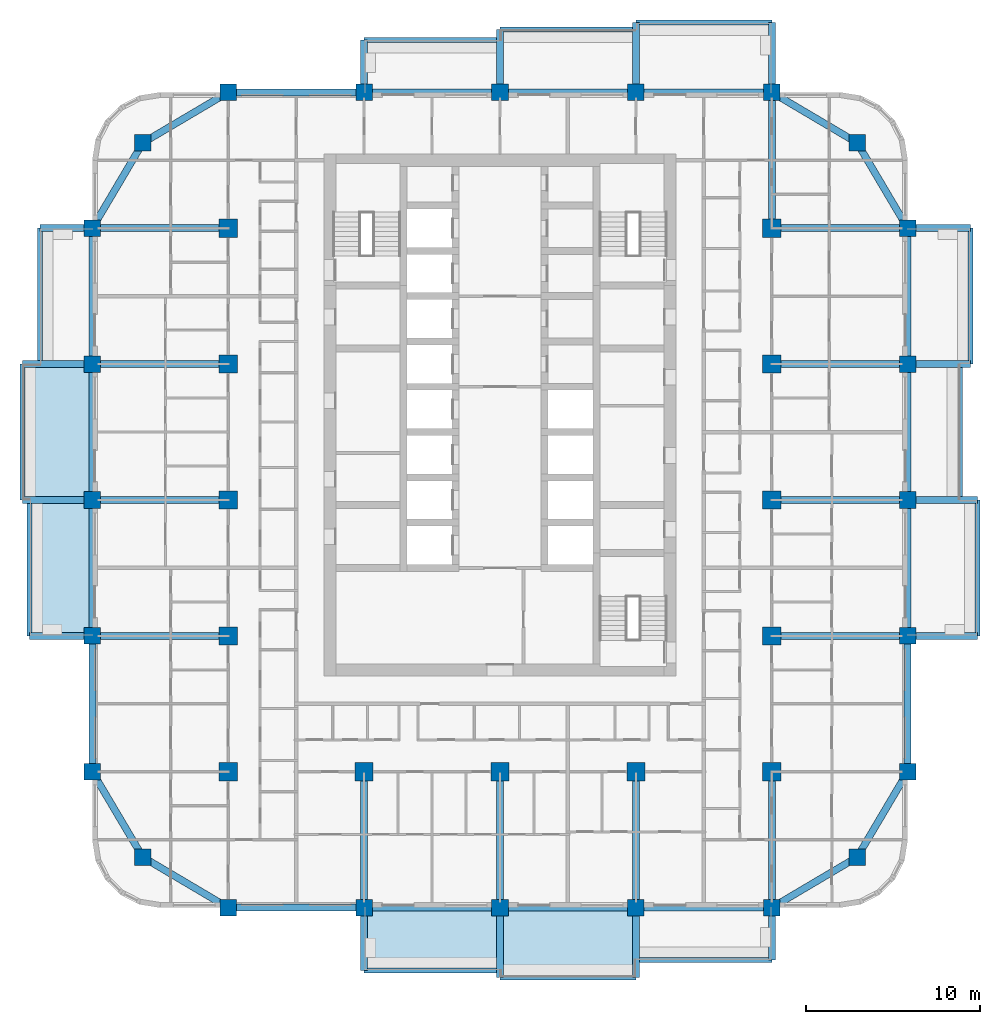
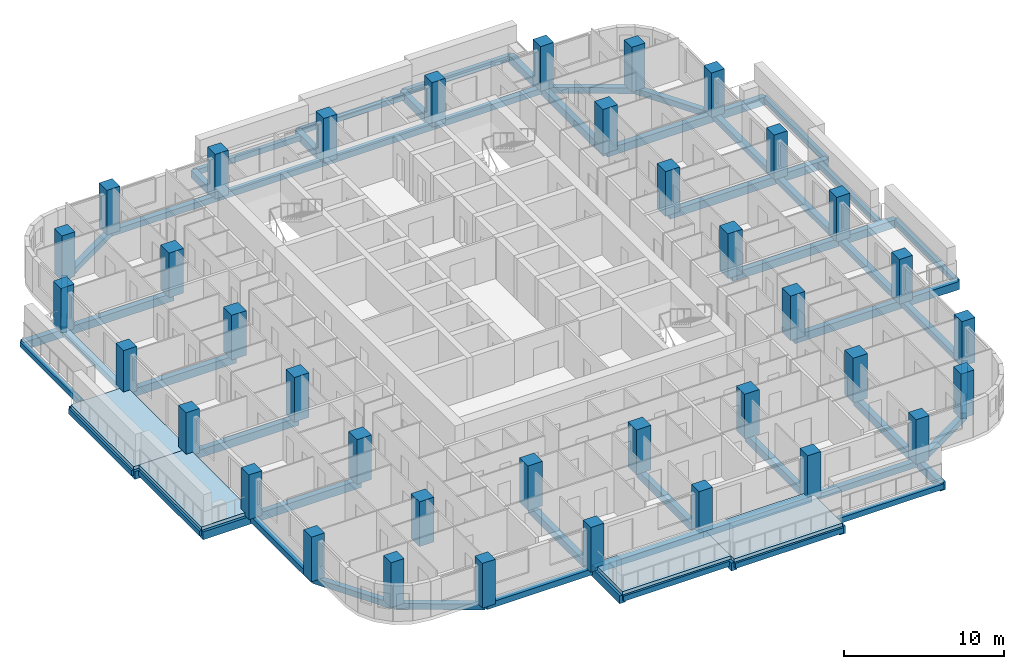
# One storey, part 1 of 17: 65 beams, 37 columns, 4 slabs.
"""IFC4 building model written with IfcOpenShell, lengths in metres."""

from ifc_helpers import new_model, si_unit, direction, frame, origin, origin_2d, place, context, subcontext, project, spatial, polyline, rectangle, outline, extrude, material, layer, layer_set, material_profile, profile_set, type_object, element, save


model = new_model("IFC4")

# Units and contexts
model_context = context("Model", 3, precision=1e-05, world=origin(), true_north=direction((0.0, 1.0)))
body_context = subcontext(model_context, "Body", "Model", "MODEL_VIEW")
ifc_project = project(units=[si_unit("LENGTHUNIT", "METRE"), si_unit("AREAUNIT", "SQUARE_METRE"), si_unit("VOLUMEUNIT", "CUBIC_METRE"), si_unit("PLANEANGLEUNIT", "RADIAN"), si_unit("MASSUNIT", "GRAM", prefix="KILO")], contexts=[model_context])

# Site, building, storey
site_placement = place(None, origin())
site = spatial("IfcSite", under=ifc_project, at=site_placement, CompositionType="ELEMENT")
building_placement = place(site_placement, origin())
building = spatial("IfcBuilding", under=site, at=building_placement, Name="Ludao Terraces", CompositionType="ELEMENT")
storey_placement = place(building_placement, frame((0.0, 0.0, 88.60009765625)))
storey = spatial("IfcBuildingStorey", under=building, at=storey_placement, Name="L24", CompositionType="ELEMENT", Elevation=88.60009765625)

# Columns
ifc_material_1 = material(Name="Concrete C55", Category="concrete")
ifc_material_profile_1 = material_profile(ifc_material_1, rectangle(XDim=1.050048828125, YDim=1.050048828125, at=origin_2d()), Name="1050 X 1050")
ifc_profile_set_1 = profile_set([ifc_material_profile_1], Name="Concrete C55")
column_type_1 = type_object("IfcColumnType", Name="RC column 1050x1050 C55", PredefinedType="COLUMN", material=ifc_profile_set_1)
for number, where, z_axis, x_axis, name in (
    (1, (69.39990234375, 49.39990234375, -0.25), (0.0, 0.0, 1.0), (1.0, 0.0, 0.0), "Column L24 S0078x0078"),
    (2, (69.39990234375, 57.199951171875, -0.25), (0.0, 0.0, 1.0), (1.0, 0.0, 0.0), "Column L24 S0078x0156"),
    (3, (69.39990234375, 65.0, -0.25), (0.0, 0.0, 1.0), (1.0, 0.0, 0.0), "Column L24 S0078x0234"),
    (4, (69.39990234375, 72.800048828125, -0.25), (0.0, 0.0, 1.0), (1.0, 0.0, 0.0), "Column L24 S0078x0312"),
    (5, (69.39990234375, 80.60009765625, -0.25), (0.0, 0.0, 1.0), (1.0, 0.0, 0.0), "Column L24 S0078x0390"),
    (6, (77.199951171875, 49.39990234375, -0.25), (0.0, 0.0, 1.0), (1.0, 0.0, 0.0), "Column L24 S0156x0078"),
    (7, (85.0, 49.39990234375, -0.25), (0.0, 0.0, 1.0), (1.0, 0.0, 0.0), "Column L24 S0234x0078"),
    (8, (92.800048828125, 49.39990234375, -0.25), (0.0, 0.0, 1.0), (1.0, 0.0, 0.0), "Column L24 S0312x0078"),
    (9, (100.60009765625, 49.39990234375, -0.25), (0.0, 0.0, 1.0), (1.0, 0.0, 0.0), "Column L24 S0390x0078"),
    (10, (100.60009765625, 57.199951171875, -0.25), (0.0, 0.0, 1.0), (1.0, 0.0, 0.0), "Column L24 S0390x0156"),
    (11, (100.60009765625, 65.0, -0.25), (0.0, 0.0, 1.0), (1.0, 0.0, 0.0), "Column L24 S0390x0234"),
    (12, (100.60009765625, 72.800048828125, -0.25), (0.0, 0.0, 1.0), (1.0, 0.0, 0.0), "Column L24 S0390x0312"),
    (13, (100.60009765625, 80.60009765625, -0.25), (0.0, 0.0, 1.0), (1.0, 0.0, 0.0), "Column L24 S0390x0390"),
):
    element("IfcColumn", number, at=place(storey_placement, frame(where, z_axis=z_axis, x_axis=x_axis)), inside=storey, type_object=column_type_1, Name=name, PredefinedType="COLUMN", context=body_context, shape_type="SweptSolid", body=[
        extrude(rectangle(XDim=1.050048828125, YDim=1.050048828125, at=origin_2d()), origin(), (0.0, 0.0, 1.0), 3.39990234375),
    ])
ifc_material_profile_2 = material_profile(ifc_material_1, rectangle(XDim=0.949951171875, YDim=0.949951171875, at=origin_2d()), Name="950 X 950")
ifc_profile_set_2 = profile_set([ifc_material_profile_2], Name="Concrete C55")
column_type_2 = type_object("IfcColumnType", Name="RC column 950x950 C55", PredefinedType="COLUMN", material=ifc_profile_set_2)
for number, where, z_axis, x_axis, name in (
    (14, (64.5, 44.5, -0.25), (0.0, 0.0, 1.0), (1.0, 0.0, 0.0), "Column L24 C0029x0029"),
    (15, (105.5, 44.5, -0.25), (0.0, 0.0, 1.0), (1.0, 0.0, 0.0), "Column L24 C0439x0029"),
    (16, (64.5, 85.5, -0.25), (0.0, 0.0, 1.0), (1.0, 0.0, 0.0), "Column L24 C0029x0439"),
    (17, (105.5, 85.5, -0.25), (0.0, 0.0, 1.0), (1.0, 0.0, 0.0), "Column L24 C0439x0439"),
    (18, (61.60009765625, 49.39990234375, -0.25), (0.0, 0.0, 1.0), (1.0, 0.0, 0.0), "Column L24 F0000x0078"),
    (19, (108.39990234375, 49.39990234375, -0.25), (0.0, 0.0, 1.0), (1.0, 0.0, 0.0), "Column L24 F0468x0078"),
    (20, (69.39990234375, 41.60009765625, -0.25), (0.0, 0.0, 1.0), (1.0, 0.0, 0.0), "Column L24 F0078x0000"),
    (21, (69.39990234375, 88.39990234375, -0.25), (0.0, 0.0, 1.0), (1.0, 0.0, 0.0), "Column L24 F0078x0468"),
    (22, (61.60009765625, 57.199951171875, -0.25), (0.0, 0.0, 1.0), (1.0, 0.0, 0.0), "Column L24 F0000x0156"),
    (23, (108.39990234375, 57.199951171875, -0.25), (0.0, 0.0, 1.0), (1.0, 0.0, 0.0), "Column L24 F0468x0156"),
    (24, (77.199951171875, 41.60009765625, -0.25), (0.0, 0.0, 1.0), (1.0, 0.0, 0.0), "Column L24 F0156x0000"),
    (25, (77.199951171875, 88.39990234375, -0.25), (0.0, 0.0, 1.0), (1.0, 0.0, 0.0), "Column L24 F0156x0468"),
    (26, (61.60009765625, 65.0, -0.25), (0.0, 0.0, 1.0), (1.0, 0.0, 0.0), "Column L24 F0000x0234"),
    (27, (108.39990234375, 65.0, -0.25), (0.0, 0.0, 1.0), (1.0, 0.0, 0.0), "Column L24 F0468x0234"),
    (28, (85.0, 41.60009765625, -0.25), (0.0, 0.0, 1.0), (1.0, 0.0, 0.0), "Column L24 F0234x0000"),
    (29, (85.0, 88.39990234375, -0.25), (0.0, 0.0, 1.0), (1.0, 0.0, 0.0), "Column L24 F0234x0468"),
    (30, (61.60009765625, 72.800048828125, -0.25), (0.0, 0.0, 1.0), (1.0, 0.0, 0.0), "Column L24 F0000x0312"),
    (31, (108.39990234375, 72.800048828125, -0.25), (0.0, 0.0, 1.0), (1.0, 0.0, 0.0), "Column L24 F0468x0312"),
    (32, (92.800048828125, 41.60009765625, -0.25), (0.0, 0.0, 1.0), (1.0, 0.0, 0.0), "Column L24 F0312x0000"),
    (33, (92.800048828125, 88.39990234375, -0.25), (0.0, 0.0, 1.0), (1.0, 0.0, 0.0), "Column L24 F0312x0468"),
    (34, (61.60009765625, 80.60009765625, -0.25), (0.0, 0.0, 1.0), (1.0, 0.0, 0.0), "Column L24 F0000x0390"),
    (35, (108.39990234375, 80.60009765625, -0.25), (0.0, 0.0, 1.0), (1.0, 0.0, 0.0), "Column L24 F0468x0390"),
    (36, (100.60009765625, 41.60009765625, -0.25), (0.0, 0.0, 1.0), (1.0, 0.0, 0.0), "Column L24 F0390x0000"),
    (37, (100.60009765625, 88.39990234375, -0.25), (0.0, 0.0, 1.0), (1.0, 0.0, 0.0), "Column L24 F0390x0468"),
):
    element("IfcColumn", number, at=place(storey_placement, frame(where, z_axis=z_axis, x_axis=x_axis)), inside=storey, type_object=column_type_2, Name=name, PredefinedType="COLUMN", context=body_context, shape_type="SweptSolid", body=[
        extrude(rectangle(XDim=0.949951171875, YDim=0.949951171875, at=origin_2d()), origin(), (0.0, 0.0, 1.0), 3.39990234375),
    ])

# Beams
ifc_material_2 = material(Name="Concrete C40", Category="concrete")
ifc_material_profile_3 = material_profile(ifc_material_2, rectangle(XDim=0.300048828125, YDim=0.39990234375, at=origin_2d()), Name="300 X 400")
ifc_profile_set_3 = profile_set([ifc_material_profile_3], Name="Concrete C40")
beam_type_1 = type_object("IfcBeamType", Name="RC beam 300x400 C40", PredefinedType="BEAM", material=ifc_profile_set_3)
for number, where, z_axis, x_axis, name in (
    (38, (77.199951171875, 38.0, -0.4501953125), (1.0, 0.0, 0.0), (0.0, 1.0, 0.0), "Balcony edge beam L24 S2"),
    (39, (85.0, 37.60009765625, -0.4501953125), (1.0, 0.0, 0.0), (0.0, 1.0, 0.0), "Balcony edge beam L24 S3"),
    (40, (92.800048828125, 38.60009765625, -0.4501953125), (1.0, 0.0, 0.0), (0.0, 1.0, 0.0), "Balcony edge beam L24 S4"),
    (41, (112.39990234375, 57.199951171875, -0.4501953125), (0.0, 1.0, 0.0), (-1.0, 0.0, 0.0), "Balcony edge beam L24 E2"),
    (42, (111.39990234375, 65.0, -0.4501953125), (0.0, 1.0, 0.0), (-1.0, 0.0, 0.0), "Balcony edge beam L24 E3"),
    (43, (112.0, 72.800048828125, -0.4501953125), (0.0, 1.0, 0.0), (-1.0, 0.0, 0.0), "Balcony edge beam L24 E4"),
    (44, (77.199951171875, 91.39990234375, -0.4501953125), (1.0, 0.0, 0.0), (0.0, 1.0, 0.0), "Balcony edge beam L24 N2"),
    (45, (85.0, 92.0, -0.4501953125), (1.0, 0.0, 0.0), (0.0, 1.0, 0.0), "Balcony edge beam L24 N3"),
    (46, (92.800048828125, 92.39990234375, -0.4501953125), (1.0, 0.0, 0.0), (0.0, 1.0, 0.0), "Balcony edge beam L24 N4"),
    (47, (58.0, 57.199951171875, -0.4501953125), (0.0, 1.0, 0.0), (-1.0, 0.0, 0.0), "Balcony edge beam L24 W2"),
    (48, (57.60009765625, 65.0, -0.4501953125), (0.0, 1.0, 0.0), (-1.0, 0.0, 0.0), "Balcony edge beam L24 W3"),
    (49, (58.60009765625, 72.800048828125, -0.4501953125), (0.0, 1.0, 0.0), (-1.0, 0.0, 0.0), "Balcony edge beam L24 W4"),
):
    element("IfcBeam", number, at=place(storey_placement, frame(where, z_axis=z_axis, x_axis=x_axis)), inside=storey, type_object=beam_type_1, Name=name, PredefinedType="BEAM", context=body_context, shape_type="SweptSolid", body=[
        extrude(rectangle(XDim=0.300048828125, YDim=0.39990234375, at=origin_2d()), origin(), (0.0, 0.0, 1.0), 7.800048828125),
    ])
ifc_material_profile_4 = material_profile(ifc_material_2, rectangle(XDim=0.39990234375, YDim=0.449951171875, at=origin_2d()), Name="400 X 450")
ifc_profile_set_4 = profile_set([ifc_material_profile_4], Name="Concrete C40")
beam_type_2 = type_object("IfcBeamType", Name="RC beam 400x450 C40", PredefinedType="BEAM", material=ifc_profile_set_4)
beam_1_placement = place(storey_placement, frame((64.5, 44.5, -0.47509765625), z_axis=(0.860579751256, -0.509315709288, 0.0), x_axis=(0.509315709288, 0.860579751256, 0.0)))
element("IfcBeam", 50, at=beam_1_placement, inside=storey, type_object=beam_type_2, Name="Spandrel beam L24 S1", PredefinedType="BEAM", context=body_context, shape_type="SweptSolid", body=[
    extrude(rectangle(XDim=0.39990234375, YDim=0.449951171875, at=origin_2d()), origin(), (0.0, 0.0, 1.0), 5.693603515625),
])
for number, where, z_axis, x_axis, name in (
    (51, (69.39990234375, 41.60009765625, -0.47509765625), (1.0, 0.0, 0.0), (0.0, 1.0, 0.0), "Spandrel beam L24 S2"),
    (52, (77.199951171875, 41.60009765625, -0.47509765625), (1.0, 0.0, 0.0), (0.0, 1.0, 0.0), "Spandrel beam L24 S3"),
    (53, (85.0, 41.60009765625, -0.47509765625), (1.0, 0.0, 0.0), (0.0, 1.0, 0.0), "Spandrel beam L24 S4"),
    (54, (92.800048828125, 41.60009765625, -0.47509765625), (1.0, 0.0, 0.0), (0.0, 1.0, 0.0), "Spandrel beam L24 S5"),
):
    element("IfcBeam", number, at=place(storey_placement, frame(where, z_axis=z_axis, x_axis=x_axis)), inside=storey, type_object=beam_type_2, Name=name, PredefinedType="BEAM", context=body_context, shape_type="SweptSolid", body=[
        extrude(rectangle(XDim=0.39990234375, YDim=0.449951171875, at=origin_2d()), origin(), (0.0, 0.0, 1.0), 7.800048828125),
    ])
for number, where, z_axis, x_axis, name in (
    (55, (100.60009765625, 41.60009765625, -0.47509765625), (0.860579751256, 0.509315709288, 0.0), (-0.509315709288, 0.860579751256, 0.0), "Spandrel beam L24 S6"),
    (56, (64.5, 85.5, -0.47509765625), (0.860579751256, 0.509315709288, 0.0), (-0.509315709288, 0.860579751256, 0.0), "Spandrel beam L24 N7"),
):
    element("IfcBeam", number, at=place(storey_placement, frame(where, z_axis=z_axis, x_axis=x_axis)), inside=storey, type_object=beam_type_2, Name=name, PredefinedType="BEAM", context=body_context, shape_type="SweptSolid", body=[
        extrude(rectangle(XDim=0.39990234375, YDim=0.449951171875, at=origin_2d()), origin(), (0.0, 0.0, 1.0), 5.693603515625),
    ])
for number, where, z_axis, x_axis, name in (
    (57, (69.39990234375, 88.39990234375, -0.47509765625), (1.0, 0.0, 0.0), (0.0, 1.0, 0.0), "Spandrel beam L24 N8"),
    (58, (77.199951171875, 88.39990234375, -0.47509765625), (1.0, 0.0, 0.0), (0.0, 1.0, 0.0), "Spandrel beam L24 N9"),
    (59, (85.0, 88.39990234375, -0.47509765625), (1.0, 0.0, 0.0), (0.0, 1.0, 0.0), "Spandrel beam L24 N10"),
    (60, (92.800048828125, 88.39990234375, -0.47509765625), (1.0, 0.0, 0.0), (0.0, 1.0, 0.0), "Spandrel beam L24 N11"),
):
    element("IfcBeam", number, at=place(storey_placement, frame(where, z_axis=z_axis, x_axis=x_axis)), inside=storey, type_object=beam_type_2, Name=name, PredefinedType="BEAM", context=body_context, shape_type="SweptSolid", body=[
        extrude(rectangle(XDim=0.39990234375, YDim=0.449951171875, at=origin_2d()), origin(), (0.0, 0.0, 1.0), 7.800048828125),
    ])
for number, where, z_axis, x_axis, name in (
    (61, (100.60009765625, 88.39990234375, -0.47509765625), (0.860579751256, -0.509315709288, 0.0), (0.509315709288, 0.860579751256, 0.0), "Spandrel beam L24 N12"),
    (62, (64.5, 44.5, -0.47509765625), (-0.509315709288, 0.860579751256, 0.0), (-0.860579751256, -0.509315709288, 0.0), "Spandrel beam L24 W13"),
):
    element("IfcBeam", number, at=place(storey_placement, frame(where, z_axis=z_axis, x_axis=x_axis)), inside=storey, type_object=beam_type_2, Name=name, PredefinedType="BEAM", context=body_context, shape_type="SweptSolid", body=[
        extrude(rectangle(XDim=0.39990234375, YDim=0.449951171875, at=origin_2d()), origin(), (0.0, 0.0, 1.0), 5.693603515625),
    ])
for number, where, z_axis, x_axis, name in (
    (63, (61.60009765625, 49.39990234375, -0.47509765625), (0.0, 1.0, 0.0), (-1.0, 0.0, 0.0), "Spandrel beam L24 W14"),
    (64, (61.60009765625, 57.199951171875, -0.47509765625), (0.0, 1.0, 0.0), (-1.0, 0.0, 0.0), "Spandrel beam L24 W15"),
    (65, (61.60009765625, 65.0, -0.47509765625), (0.0, 1.0, 0.0), (-1.0, 0.0, 0.0), "Spandrel beam L24 W16"),
    (66, (61.60009765625, 72.800048828125, -0.47509765625), (0.0, 1.0, 0.0), (-1.0, 0.0, 0.0), "Spandrel beam L24 W17"),
):
    element("IfcBeam", number, at=place(storey_placement, frame(where, z_axis=z_axis, x_axis=x_axis)), inside=storey, type_object=beam_type_2, Name=name, PredefinedType="BEAM", context=body_context, shape_type="SweptSolid", body=[
        extrude(rectangle(XDim=0.39990234375, YDim=0.449951171875, at=origin_2d()), origin(), (0.0, 0.0, 1.0), 7.800048828125),
    ])
for number, where, z_axis, x_axis, name in (
    (67, (61.60009765625, 80.60009765625, -0.47509765625), (0.509315709288, 0.860579751256, 0.0), (-0.860579751256, 0.509315709288, 0.0), "Spandrel beam L24 W18"),
    (68, (105.5, 44.5, -0.47509765625), (0.509315709288, 0.860579751256, 0.0), (-0.860579751256, 0.509315709288, 0.0), "Spandrel beam L24 E19"),
):
    element("IfcBeam", number, at=place(storey_placement, frame(where, z_axis=z_axis, x_axis=x_axis)), inside=storey, type_object=beam_type_2, Name=name, PredefinedType="BEAM", context=body_context, shape_type="SweptSolid", body=[
        extrude(rectangle(XDim=0.39990234375, YDim=0.449951171875, at=origin_2d()), origin(), (0.0, 0.0, 1.0), 5.693603515625),
    ])
for number, where, z_axis, x_axis, name in (
    (69, (108.39990234375, 49.39990234375, -0.47509765625), (0.0, 1.0, 0.0), (-1.0, 0.0, 0.0), "Spandrel beam L24 E20"),
    (70, (108.39990234375, 57.199951171875, -0.47509765625), (0.0, 1.0, 0.0), (-1.0, 0.0, 0.0), "Spandrel beam L24 E21"),
    (71, (108.39990234375, 65.0, -0.47509765625), (0.0, 1.0, 0.0), (-1.0, 0.0, 0.0), "Spandrel beam L24 E22"),
    (72, (108.39990234375, 72.800048828125, -0.47509765625), (0.0, 1.0, 0.0), (-1.0, 0.0, 0.0), "Spandrel beam L24 E23"),
):
    element("IfcBeam", number, at=place(storey_placement, frame(where, z_axis=z_axis, x_axis=x_axis)), inside=storey, type_object=beam_type_2, Name=name, PredefinedType="BEAM", context=body_context, shape_type="SweptSolid", body=[
        extrude(rectangle(XDim=0.39990234375, YDim=0.449951171875, at=origin_2d()), origin(), (0.0, 0.0, 1.0), 7.800048828125),
    ])
beam_2_placement = place(storey_placement, frame((108.39990234375, 80.60009765625, -0.47509765625), z_axis=(-0.509315709288, 0.860579751256, 0.0), x_axis=(-0.860579751256, -0.509315709288, 0.0)))
element("IfcBeam", 73, at=beam_2_placement, inside=storey, type_object=beam_type_2, Name="Spandrel beam L24 E24", PredefinedType="BEAM", context=body_context, shape_type="SweptSolid", body=[
    extrude(rectangle(XDim=0.39990234375, YDim=0.449951171875, at=origin_2d()), origin(), (0.0, 0.0, 1.0), 5.693603515625),
])
ifc_material_profile_5 = material_profile(ifc_material_2, rectangle(XDim=0.39990234375, YDim=0.60009765625, at=origin_2d()), Name="400 X 600")
ifc_profile_set_5 = profile_set([ifc_material_profile_5], Name="Concrete C40")
beam_type_3 = type_object("IfcBeamType", Name="RC beam 400x600 C40", PredefinedType="BEAM", material=ifc_profile_set_5)
beam_3_placement = place(storey_placement, frame((100.60009765625, 57.199951171875, -0.550048828125), z_axis=(1.0, 0.0, 0.0), x_axis=(0.0, 1.0, 0.0)))
element("IfcBeam", 74, at=beam_3_placement, inside=storey, type_object=beam_type_3, Name="Balcony beam L24 E572", PredefinedType="BEAM", context=body_context, shape_type="SweptSolid", body=[
    extrude(rectangle(XDim=0.39990234375, YDim=0.60009765625, at=origin_2d()), origin(), (0.0, 0.0, 1.0), 7.7998046875),
])
beam_4_placement = place(storey_placement, frame((108.39990234375, 57.199951171875, -0.550048828125), z_axis=(1.0, 0.0, 0.0), x_axis=(0.0, 1.0, 0.0)))
element("IfcBeam", 75, at=beam_4_placement, inside=storey, type_object=beam_type_3, Name="Balcony beam L24 E572", PredefinedType="BEAM", context=body_context, shape_type="SweptSolid", body=[
    extrude(rectangle(XDim=0.39990234375, YDim=0.60009765625, at=origin_2d()), origin(), (0.0, 0.0, 1.0), 4.0),
])
beam_5_placement = place(storey_placement, frame((100.60009765625, 65.0, -0.550048828125), z_axis=(1.0, 0.0, 0.0), x_axis=(0.0, 1.0, 0.0)))
element("IfcBeam", 76, at=beam_5_placement, inside=storey, type_object=beam_type_3, Name="Balcony beam L24 E650", PredefinedType="BEAM", context=body_context, shape_type="SweptSolid", body=[
    extrude(rectangle(XDim=0.39990234375, YDim=0.60009765625, at=origin_2d()), origin(), (0.0, 0.0, 1.0), 7.7998046875),
])
beam_6_placement = place(storey_placement, frame((108.39990234375, 65.0, -0.550048828125), z_axis=(1.0, 0.0, 0.0), x_axis=(0.0, 1.0, 0.0)))
element("IfcBeam", 77, at=beam_6_placement, inside=storey, type_object=beam_type_3, Name="Balcony beam L24 E650", PredefinedType="BEAM", context=body_context, shape_type="SweptSolid", body=[
    extrude(rectangle(XDim=0.39990234375, YDim=0.60009765625, at=origin_2d()), origin(), (0.0, 0.0, 1.0), 4.0),
])
beam_7_placement = place(storey_placement, frame((100.60009765625, 72.800048828125, -0.550048828125), z_axis=(1.0, 0.0, 0.0), x_axis=(0.0, 1.0, 0.0)))
element("IfcBeam", 78, at=beam_7_placement, inside=storey, type_object=beam_type_3, Name="Balcony beam L24 E728", PredefinedType="BEAM", context=body_context, shape_type="SweptSolid", body=[
    extrude(rectangle(XDim=0.39990234375, YDim=0.60009765625, at=origin_2d()), origin(), (0.0, 0.0, 1.0), 7.7998046875),
])
beam_8_placement = place(storey_placement, frame((108.39990234375, 72.800048828125, -0.550048828125), z_axis=(1.0, 0.0, 0.0), x_axis=(0.0, 1.0, 0.0)))
element("IfcBeam", 79, at=beam_8_placement, inside=storey, type_object=beam_type_3, Name="Balcony beam L24 E728", PredefinedType="BEAM", context=body_context, shape_type="SweptSolid", body=[
    extrude(rectangle(XDim=0.39990234375, YDim=0.60009765625, at=origin_2d()), origin(), (0.0, 0.0, 1.0), 3.60009765625),
])
beam_9_placement = place(storey_placement, frame((100.60009765625, 80.60009765625, -0.550048828125), z_axis=(1.0, 0.0, 0.0), x_axis=(0.0, 1.0, 0.0)))
element("IfcBeam", 80, at=beam_9_placement, inside=storey, type_object=beam_type_3, Name="Balcony beam L24 E806", PredefinedType="BEAM", context=body_context, shape_type="SweptSolid", body=[
    extrude(rectangle(XDim=0.39990234375, YDim=0.60009765625, at=origin_2d()), origin(), (0.0, 0.0, 1.0), 7.7998046875),
])
beam_10_placement = place(storey_placement, frame((108.39990234375, 80.60009765625, -0.550048828125), z_axis=(1.0, 0.0, 0.0), x_axis=(0.0, 1.0, 0.0)))
element("IfcBeam", 81, at=beam_10_placement, inside=storey, type_object=beam_type_3, Name="Balcony beam L24 E806", PredefinedType="BEAM", context=body_context, shape_type="SweptSolid", body=[
    extrude(rectangle(XDim=0.39990234375, YDim=0.60009765625, at=origin_2d()), origin(), (0.0, 0.0, 1.0), 3.60009765625),
])
beam_11_placement = place(storey_placement, frame((100.60009765625, 80.60009765625, -0.550048828125), z_axis=(0.0, 1.0, 0.0), x_axis=(-1.0, 0.0, 0.0)))
element("IfcBeam", 82, at=beam_11_placement, inside=storey, type_object=beam_type_3, Name="Balcony beam L24 N1006", PredefinedType="BEAM", context=body_context, shape_type="SweptSolid", body=[
    extrude(rectangle(XDim=0.39990234375, YDim=0.60009765625, at=origin_2d()), origin(), (0.0, 0.0, 1.0), 7.7998046875),
])
beam_12_placement = place(storey_placement, frame((100.60009765625, 88.39990234375, -0.550048828125), z_axis=(0.0, 1.0, 0.0), x_axis=(-1.0, 0.0, 0.0)))
element("IfcBeam", 83, at=beam_12_placement, inside=storey, type_object=beam_type_3, Name="Balcony beam L24 N1006", PredefinedType="BEAM", context=body_context, shape_type="SweptSolid", body=[
    extrude(rectangle(XDim=0.39990234375, YDim=0.60009765625, at=origin_2d()), origin(), (0.0, 0.0, 1.0), 4.0),
])
beam_13_placement = place(storey_placement, frame((77.199951171875, 88.39990234375, -0.550048828125), z_axis=(0.0, 1.0, 0.0), x_axis=(-1.0, 0.0, 0.0)))
element("IfcBeam", 84, at=beam_13_placement, inside=storey, type_object=beam_type_3, Name="Balcony beam L24 N772", PredefinedType="BEAM", context=body_context, shape_type="SweptSolid", body=[
    extrude(rectangle(XDim=0.39990234375, YDim=0.60009765625, at=origin_2d()), origin(), (0.0, 0.0, 1.0), 3.0),
])
beam_14_placement = place(storey_placement, frame((85.0, 88.39990234375, -0.550048828125), z_axis=(0.0, 1.0, 0.0), x_axis=(-1.0, 0.0, 0.0)))
element("IfcBeam", 85, at=beam_14_placement, inside=storey, type_object=beam_type_3, Name="Balcony beam L24 N850", PredefinedType="BEAM", context=body_context, shape_type="SweptSolid", body=[
    extrude(rectangle(XDim=0.39990234375, YDim=0.60009765625, at=origin_2d()), origin(), (0.0, 0.0, 1.0), 3.60009765625),
])
beam_15_placement = place(storey_placement, frame((92.800048828125, 88.39990234375, -0.550048828125), z_axis=(0.0, 1.0, 0.0), x_axis=(-1.0, 0.0, 0.0)))
element("IfcBeam", 86, at=beam_15_placement, inside=storey, type_object=beam_type_3, Name="Balcony beam L24 N928", PredefinedType="BEAM", context=body_context, shape_type="SweptSolid", body=[
    extrude(rectangle(XDim=0.39990234375, YDim=0.60009765625, at=origin_2d()), origin(), (0.0, 0.0, 1.0), 4.0),
])
beam_16_placement = place(storey_placement, frame((100.60009765625, 49.39990234375, -0.550048828125), z_axis=(0.0, -1.0, 0.0), x_axis=(1.0, 0.0, 0.0)))
element("IfcBeam", 87, at=beam_16_placement, inside=storey, type_object=beam_type_3, Name="Balcony beam L24 S1006", PredefinedType="BEAM", context=body_context, shape_type="SweptSolid", body=[
    extrude(rectangle(XDim=0.39990234375, YDim=0.60009765625, at=origin_2d()), origin(), (0.0, 0.0, 1.0), 7.7998046875),
])
beam_17_placement = place(storey_placement, frame((100.60009765625, 41.60009765625, -0.550048828125), z_axis=(0.0, -1.0, 0.0), x_axis=(1.0, 0.0, 0.0)))
element("IfcBeam", 88, at=beam_17_placement, inside=storey, type_object=beam_type_3, Name="Balcony beam L24 S1006", PredefinedType="BEAM", context=body_context, shape_type="SweptSolid", body=[
    extrude(rectangle(XDim=0.39990234375, YDim=0.60009765625, at=origin_2d()), origin(), (0.0, 0.0, 1.0), 3.0),
])
beam_18_placement = place(storey_placement, frame((77.199951171875, 49.39990234375, -0.550048828125), z_axis=(0.0, -1.0, 0.0), x_axis=(1.0, 0.0, 0.0)))
element("IfcBeam", 89, at=beam_18_placement, inside=storey, type_object=beam_type_3, Name="Balcony beam L24 S772", PredefinedType="BEAM", context=body_context, shape_type="SweptSolid", body=[
    extrude(rectangle(XDim=0.39990234375, YDim=0.60009765625, at=origin_2d()), origin(), (0.0, 0.0, 1.0), 7.7998046875),
])
beam_19_placement = place(storey_placement, frame((77.199951171875, 41.60009765625, -0.550048828125), z_axis=(0.0, -1.0, 0.0), x_axis=(1.0, 0.0, 0.0)))
element("IfcBeam", 90, at=beam_19_placement, inside=storey, type_object=beam_type_3, Name="Balcony beam L24 S772", PredefinedType="BEAM", context=body_context, shape_type="SweptSolid", body=[
    extrude(rectangle(XDim=0.39990234375, YDim=0.60009765625, at=origin_2d()), origin(), (0.0, 0.0, 1.0), 3.60009765625),
])
beam_20_placement = place(storey_placement, frame((85.0, 49.39990234375, -0.550048828125), z_axis=(0.0, -1.0, 0.0), x_axis=(1.0, 0.0, 0.0)))
element("IfcBeam", 91, at=beam_20_placement, inside=storey, type_object=beam_type_3, Name="Balcony beam L24 S850", PredefinedType="BEAM", context=body_context, shape_type="SweptSolid", body=[
    extrude(rectangle(XDim=0.39990234375, YDim=0.60009765625, at=origin_2d()), origin(), (0.0, 0.0, 1.0), 7.7998046875),
])
beam_21_placement = place(storey_placement, frame((85.0, 41.60009765625, -0.550048828125), z_axis=(0.0, -1.0, 0.0), x_axis=(1.0, 0.0, 0.0)))
element("IfcBeam", 92, at=beam_21_placement, inside=storey, type_object=beam_type_3, Name="Balcony beam L24 S850", PredefinedType="BEAM", context=body_context, shape_type="SweptSolid", body=[
    extrude(rectangle(XDim=0.39990234375, YDim=0.60009765625, at=origin_2d()), origin(), (0.0, 0.0, 1.0), 4.0),
])
beam_22_placement = place(storey_placement, frame((92.800048828125, 49.39990234375, -0.550048828125), z_axis=(0.0, -1.0, 0.0), x_axis=(1.0, 0.0, 0.0)))
element("IfcBeam", 93, at=beam_22_placement, inside=storey, type_object=beam_type_3, Name="Balcony beam L24 S928", PredefinedType="BEAM", context=body_context, shape_type="SweptSolid", body=[
    extrude(rectangle(XDim=0.39990234375, YDim=0.60009765625, at=origin_2d()), origin(), (0.0, 0.0, 1.0), 7.7998046875),
])
beam_23_placement = place(storey_placement, frame((92.800048828125, 41.60009765625, -0.550048828125), z_axis=(0.0, -1.0, 0.0), x_axis=(1.0, 0.0, 0.0)))
element("IfcBeam", 94, at=beam_23_placement, inside=storey, type_object=beam_type_3, Name="Balcony beam L24 S928", PredefinedType="BEAM", context=body_context, shape_type="SweptSolid", body=[
    extrude(rectangle(XDim=0.39990234375, YDim=0.60009765625, at=origin_2d()), origin(), (0.0, 0.0, 1.0), 4.0),
])
beam_24_placement = place(storey_placement, frame((69.39990234375, 57.199951171875, -0.550048828125), z_axis=(-1.0, 0.0, 0.0), x_axis=(0.0, -1.0, 0.0)))
element("IfcBeam", 95, at=beam_24_placement, inside=storey, type_object=beam_type_3, Name="Balcony beam L24 W572", PredefinedType="BEAM", context=body_context, shape_type="SweptSolid", body=[
    extrude(rectangle(XDim=0.39990234375, YDim=0.60009765625, at=origin_2d()), origin(), (0.0, 0.0, 1.0), 7.7998046875),
])
beam_25_placement = place(storey_placement, frame((61.60009765625, 57.199951171875, -0.550048828125), z_axis=(-1.0, 0.0, 0.0), x_axis=(0.0, -1.0, 0.0)))
element("IfcBeam", 96, at=beam_25_placement, inside=storey, type_object=beam_type_3, Name="Balcony beam L24 W572", PredefinedType="BEAM", context=body_context, shape_type="SweptSolid", body=[
    extrude(rectangle(XDim=0.39990234375, YDim=0.60009765625, at=origin_2d()), origin(), (0.0, 0.0, 1.0), 3.60009765625),
])
beam_26_placement = place(storey_placement, frame((69.39990234375, 65.0, -0.550048828125), z_axis=(-1.0, 0.0, 0.0), x_axis=(0.0, -1.0, 0.0)))
element("IfcBeam", 97, at=beam_26_placement, inside=storey, type_object=beam_type_3, Name="Balcony beam L24 W650", PredefinedType="BEAM", context=body_context, shape_type="SweptSolid", body=[
    extrude(rectangle(XDim=0.39990234375, YDim=0.60009765625, at=origin_2d()), origin(), (0.0, 0.0, 1.0), 7.7998046875),
])
beam_27_placement = place(storey_placement, frame((61.60009765625, 65.0, -0.550048828125), z_axis=(-1.0, 0.0, 0.0), x_axis=(0.0, -1.0, 0.0)))
element("IfcBeam", 98, at=beam_27_placement, inside=storey, type_object=beam_type_3, Name="Balcony beam L24 W650", PredefinedType="BEAM", context=body_context, shape_type="SweptSolid", body=[
    extrude(rectangle(XDim=0.39990234375, YDim=0.60009765625, at=origin_2d()), origin(), (0.0, 0.0, 1.0), 4.0),
])
beam_28_placement = place(storey_placement, frame((69.39990234375, 72.800048828125, -0.550048828125), z_axis=(-1.0, 0.0, 0.0), x_axis=(0.0, -1.0, 0.0)))
element("IfcBeam", 99, at=beam_28_placement, inside=storey, type_object=beam_type_3, Name="Balcony beam L24 W728", PredefinedType="BEAM", context=body_context, shape_type="SweptSolid", body=[
    extrude(rectangle(XDim=0.39990234375, YDim=0.60009765625, at=origin_2d()), origin(), (0.0, 0.0, 1.0), 7.7998046875),
])
beam_29_placement = place(storey_placement, frame((61.60009765625, 72.800048828125, -0.550048828125), z_axis=(-1.0, 0.0, 0.0), x_axis=(0.0, -1.0, 0.0)))
element("IfcBeam", 100, at=beam_29_placement, inside=storey, type_object=beam_type_3, Name="Balcony beam L24 W728", PredefinedType="BEAM", context=body_context, shape_type="SweptSolid", body=[
    extrude(rectangle(XDim=0.39990234375, YDim=0.60009765625, at=origin_2d()), origin(), (0.0, 0.0, 1.0), 4.0),
])
beam_30_placement = place(storey_placement, frame((69.39990234375, 80.60009765625, -0.550048828125), z_axis=(-1.0, 0.0, 0.0), x_axis=(0.0, -1.0, 0.0)))
element("IfcBeam", 101, at=beam_30_placement, inside=storey, type_object=beam_type_3, Name="Balcony beam L24 W806", PredefinedType="BEAM", context=body_context, shape_type="SweptSolid", body=[
    extrude(rectangle(XDim=0.39990234375, YDim=0.60009765625, at=origin_2d()), origin(), (0.0, 0.0, 1.0), 7.7998046875),
])
beam_31_placement = place(storey_placement, frame((61.60009765625, 80.60009765625, -0.550048828125), z_axis=(-1.0, 0.0, 0.0), x_axis=(0.0, -1.0, 0.0)))
element("IfcBeam", 102, at=beam_31_placement, inside=storey, type_object=beam_type_3, Name="Balcony beam L24 W806", PredefinedType="BEAM", context=body_context, shape_type="SweptSolid", body=[
    extrude(rectangle(XDim=0.39990234375, YDim=0.60009765625, at=origin_2d()), origin(), (0.0, 0.0, 1.0), 3.0),
])

# Slabs
ifc_layer = layer(ifc_material_2, 0.25)
ifc_layer_set = layer_set([ifc_layer], Name="Balcony slab 250 C40")
slab_type = type_object("IfcSlabType", Name="Balcony slab 250 C40", PredefinedType="USERDEFINED", material=ifc_layer_set)
slab_1_placement = place(storey_placement, frame((0.0, 0.0, -0.25)))
element("IfcSlab", 103, at=slab_1_placement, inside=storey, type_object=slab_type, Name="Balcony L24 S2", ObjectType="BALCONY", PredefinedType="USERDEFINED", context=body_context, shape_type="SweptSolid", body=[
    extrude(outline(polyline([(77.199951171875, 38.0), (85.0, 38.0), (85.0, 41.60009765625), (77.199951171875, 41.60009765625), (77.199951171875, 38.0)])), origin(), (0.0, 0.0, 1.0), 0.25),
])
slab_2_placement = place(storey_placement, frame((0.0, 0.0, -0.25)))
element("IfcSlab", 104, at=slab_2_placement, inside=storey, type_object=slab_type, Name="Balcony L24 S3", ObjectType="BALCONY", PredefinedType="USERDEFINED", context=body_context, shape_type="SweptSolid", body=[
    extrude(outline(polyline([(85.0, 37.60009765625), (92.800048828125, 37.60009765625), (92.800048828125, 41.60009765625), (85.0, 41.60009765625), (85.0, 37.60009765625)])), origin(), (0.0, 0.0, 1.0), 0.25),
])
slab_3_placement = place(storey_placement, frame((0.0, 0.0, -0.25)))
element("IfcSlab", 105, at=slab_3_placement, inside=storey, type_object=slab_type, Name="Balcony L24 W2", ObjectType="BALCONY", PredefinedType="USERDEFINED", context=body_context, shape_type="SweptSolid", body=[
    extrude(outline(polyline([(58.0, 57.199951171875), (61.60009765625, 57.199951171875), (61.60009765625, 65.0), (58.0, 65.0), (58.0, 57.199951171875)])), origin(), (0.0, 0.0, 1.0), 0.25),
])
slab_4_placement = place(storey_placement, frame((0.0, 0.0, -0.25)))
element("IfcSlab", 106, at=slab_4_placement, inside=storey, type_object=slab_type, Name="Balcony L24 W3", ObjectType="BALCONY", PredefinedType="USERDEFINED", context=body_context, shape_type="SweptSolid", body=[
    extrude(outline(polyline([(57.60009765625, 65.0), (61.60009765625, 65.0), (61.60009765625, 72.800048828125), (57.60009765625, 72.800048828125), (57.60009765625, 65.0)])), origin(), (0.0, 0.0, 1.0), 0.25),
])

save(model, "model.ifc")
